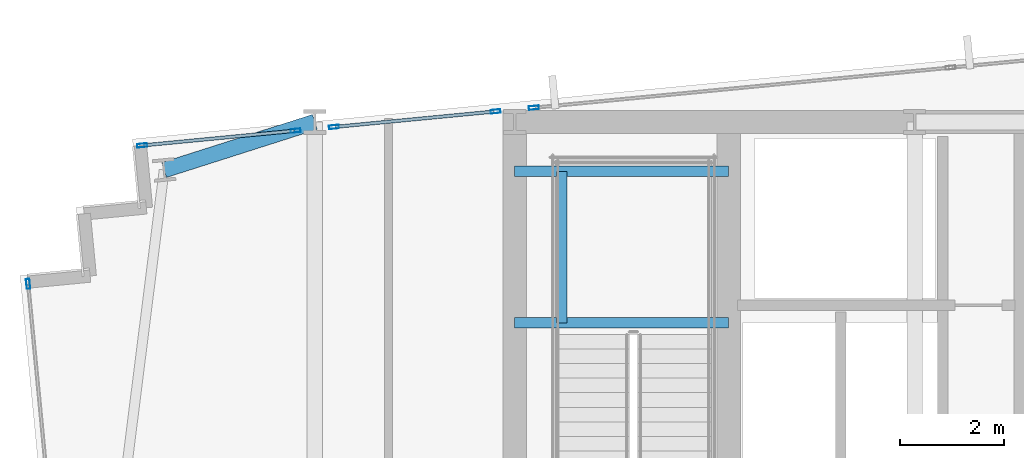
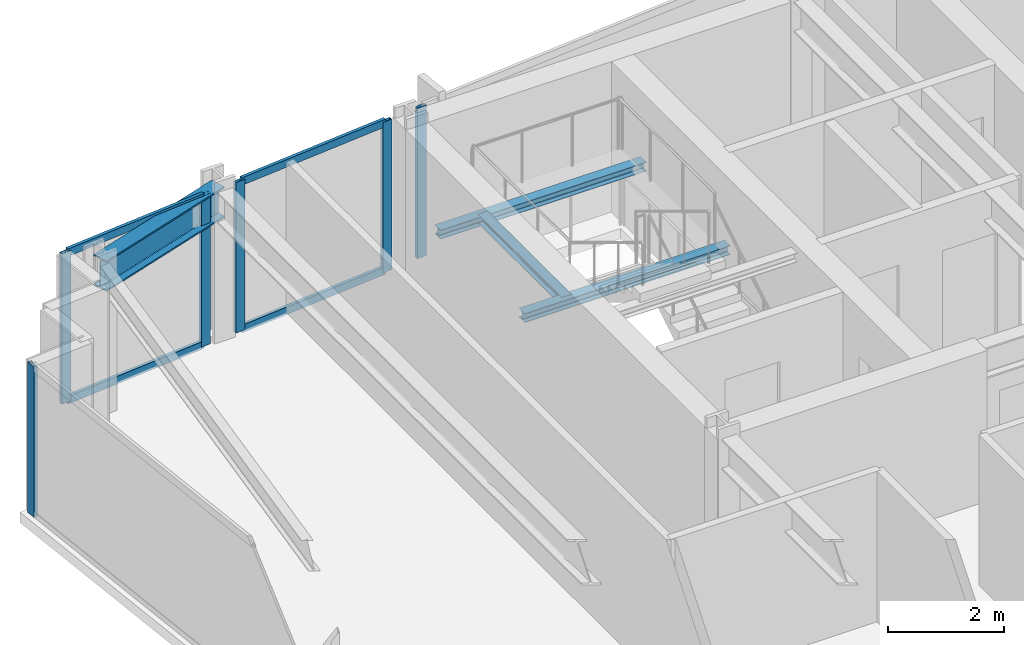
# One storey, part 17 of 33: 10 members, 4 beams, 4 elements without a shape of their own.
"""IFC4 building model written with IfcOpenShell, lengths in metres."""

from ifc_helpers import new_model, si_unit, direction, frame, origin, origin_2d, place, context, subcontext, project, spatial, hollow_rectangle, i_section, extrude, material, material_profile, profile_set, type_object, element, aggregate, save


model = new_model("IFC4")

# Units and contexts
model_context = context("Model", 3, precision=1e-05, world=origin(), true_north=direction((0.0, 1.0)))
body_context = subcontext(model_context, "Body", "Model", "MODEL_VIEW")
ifc_project = project(units=[si_unit("LENGTHUNIT", "METRE"), si_unit("AREAUNIT", "SQUARE_METRE"), si_unit("VOLUMEUNIT", "CUBIC_METRE"), si_unit("PLANEANGLEUNIT", "RADIAN"), si_unit("MASSUNIT", "GRAM", prefix="KILO")], contexts=[model_context])

# Site, building, storey
site_placement = place(None, origin())
site = spatial("IfcSite", under=ifc_project, at=site_placement, CompositionType="ELEMENT")
building_placement = place(site_placement, origin())
building = spatial("IfcBuilding", under=site, at=building_placement, Name="Yelkora Congress Tower", CompositionType="ELEMENT")
storey_placement = place(building_placement, frame((0.0, 0.0, 127.10009765625)))
storey = spatial("IfcBuildingStorey", under=building, at=storey_placement, Name="L34", CompositionType="ELEMENT", Elevation=127.10009765625)

# Beams
ifc_material_1 = material(Name="Steel S355J2", Category="steel")
ifc_material_profile_1 = material_profile(ifc_material_1, i_section(OverallWidth=0.300048828125, OverallDepth=0.64990234375, WebThickness=0.01611328125, FlangeThickness=0.031005859375, FilletRadius=0.027099609375, at=origin_2d()), Name="HEB 650")
ifc_profile_set_1 = profile_set([ifc_material_profile_1], Name="Steel S355J2")
beam_type_1 = type_object("IfcBeamType", Name="BM-GIRD-HEB650", PredefinedType="BEAM", material=ifc_profile_set_1)
beam_1_placement = place(storey_placement, frame((16.306884765625, 45.27734375, 2.85498046875), z_axis=(0.952727067409, 0.303827475759, 0.0), x_axis=(-0.303827475759, 0.952727067409, 0.0)))
element("IfcBeam", 1, at=beam_1_placement, inside=storey, type_object=beam_type_1, Name="L34 Primary Frame Girder N01", PredefinedType="BEAM", context=body_context, shape_type="SweptSolid", body=[
    extrude(i_section(OverallWidth=0.300048828125, OverallDepth=0.64990234375, WebThickness=0.01611328125, FlangeThickness=0.031005859375, FilletRadius=0.027099609375, at=origin_2d()), origin(), (0.0, 0.0, 1.0), 3.03662109375),
])
ifc_material_profile_2 = material_profile(ifc_material_1, i_section(OverallWidth=0.199951171875, OverallDepth=0.18994140625, WebThickness=0.006591796875, FlangeThickness=0.010009765625, FilletRadius=0.01806640625, at=origin_2d()), Name="HEA 200")
ifc_profile_set_2 = profile_set([ifc_material_profile_2], Name="Steel S355J2")
beam_type_2 = type_object("IfcBeamType", Name="BM-LAND-HEA200", PredefinedType="BEAM", material=ifc_profile_set_2)
for number, where, z_axis, x_axis, name in (
    (2, (23.0400390625, 42.340087890625, 1.384521484375), (1.0, 0.0, 0.0), (0.0, 1.0, 0.0), "ST-01 L34 Landing Header Beam 1S"),
    (3, (23.0400390625, 45.25, 1.384521484375), (1.0, 0.0, 0.0), (0.0, 1.0, 0.0), "ST-01 L34 Landing Header Beam 1N"),
):
    element("IfcBeam", number, at=place(storey_placement, frame(where, z_axis=z_axis, x_axis=x_axis)), inside=storey, type_object=beam_type_2, Name=name, PredefinedType="BEAM", context=body_context, shape_type="SweptSolid", body=[
        extrude(i_section(OverallWidth=0.199951171875, OverallDepth=0.18994140625, WebThickness=0.006591796875, FlangeThickness=0.010009765625, FilletRadius=0.01806640625, at=origin_2d()), origin(), (0.0, 0.0, 1.0), 4.10986328125),
    ])
beam_2_placement = place(storey_placement, frame((23.93994140625, 42.340087890625, 1.384521484375), z_axis=(0.0, 1.0, 0.0), x_axis=(-1.0, 0.0, 0.0)))
element("IfcBeam", 4, at=beam_2_placement, inside=storey, type_object=beam_type_2, Name="ST-01 L34 Landing Trimmer Beam 1M", PredefinedType="BEAM", context=body_context, shape_type="SweptSolid", body=[
    extrude(i_section(OverallWidth=0.199951171875, OverallDepth=0.18994140625, WebThickness=0.006591796875, FlangeThickness=0.010009765625, FilletRadius=0.01806640625, at=origin_2d()), origin(), (0.0, 0.0, 1.0), 2.909912109375),
])

# Curtain wall, member
ifc_material_2 = material(Name="Anodised aluminium and insulated glass", Category="aluminium")
curtain_wall_type = type_object("IfcCurtainWallType", Name="CW-SYS-B2", PredefinedType="NOTDEFINED", material=ifc_material_2)
curtain_wall_1_placement = place(storey_placement, origin())
curtain_wall_1 = element("IfcCurtainWall", 5, at=curtain_wall_1_placement, inside=storey, type_object=curtain_wall_type, Name="L34 Unitised Curtain Wall 5", PredefinedType="NOTDEFINED")
ifc_material_3 = material(Name="Anodised aluminium 6063-T6", Category="aluminium")
ifc_material_profile_3 = material_profile(ifc_material_3, hollow_rectangle(XDim=0.070068359375, YDim=0.18994140625, WallThickness=0.00390625, at=origin_2d()), Name="ALU 70x190x4")
ifc_profile_set_3 = profile_set([ifc_material_profile_3], Name="Anodised aluminium 6063-T6")
member_type_1 = type_object("IfcMemberType", Name="MEM-ML-B2", PredefinedType="MULLION", material=ifc_profile_set_3)
member_1_placement = place(storey_placement, frame((13.6943359375, 43.091796875, 0.0), z_axis=(0.0, 0.0, 1.0), x_axis=(-0.995396507508, -0.095842541913, 0.0)))
member_1 = element("IfcMember", 6, at=member_1_placement, type_object=member_type_1, Name="CW-B2 mullion 5", PredefinedType="MULLION", context=body_context, shape_type="SweptSolid", body=[
    extrude(hollow_rectangle(XDim=0.070068359375, YDim=0.18994140625, WallThickness=0.00390625, at=origin_2d()), origin(), (0.0, 0.0, 1.0), 3.179931640625),
])
aggregate(curtain_wall_1, [member_1])

# Curtain wall, members
curtain_wall_2_placement = place(storey_placement, origin())
curtain_wall_2 = element("IfcCurtainWall", 7, at=curtain_wall_2_placement, inside=storey, type_object=curtain_wall_type, Name="L34 Unitised Curtain Wall 10 (1)", PredefinedType="NOTDEFINED")
member_2_placement = place(storey_placement, frame((15.884521484375, 45.7490234375, 0.0), z_axis=(0.0, 0.0, 1.0), x_axis=(-0.095839346142, 0.99539681521, 0.0)))
member_2 = element("IfcMember", 8, at=member_2_placement, type_object=member_type_1, Name="CW-B2 mullion 1", PredefinedType="MULLION", context=body_context, shape_type="SweptSolid", body=[
    extrude(hollow_rectangle(XDim=0.070068359375, YDim=0.18994140625, WallThickness=0.00390625, at=origin_2d()), origin(), (0.0, 0.0, 1.0), 3.179931640625),
])
member_3_placement = place(storey_placement, frame((18.833251953125, 46.032958984375, 0.0), z_axis=(0.0, 0.0, 1.0), x_axis=(-0.095839346142, 0.99539681521, 0.0)))
member_3 = element("IfcMember", 9, at=member_3_placement, type_object=member_type_1, Name="CW-B2 mullion 2", PredefinedType="MULLION", context=body_context, shape_type="SweptSolid", body=[
    extrude(hollow_rectangle(XDim=0.070068359375, YDim=0.18994140625, WallThickness=0.00390625, at=origin_2d()), origin(), (0.0, 0.0, 1.0), 3.179931640625),
])

curtain_wall_3_placement = place(storey_placement, origin())
curtain_wall_3 = element("IfcCurtainWall", 10, at=curtain_wall_3_placement, inside=storey, type_object=curtain_wall_type, Name="L34 Unitised Curtain Wall 10 (2)", PredefinedType="NOTDEFINED")
member_4_placement = place(storey_placement, frame((19.56689453125, 46.103515625, 0.0), z_axis=(0.0, 0.0, 1.0), x_axis=(-0.095841399764, 0.99539661748, 0.0)))
member_4 = element("IfcMember", 11, at=member_4_placement, type_object=member_type_1, Name="CW-B2 mullion 1", PredefinedType="MULLION", context=body_context, shape_type="SweptSolid", body=[
    extrude(hollow_rectangle(XDim=0.070068359375, YDim=0.18994140625, WallThickness=0.00390625, at=origin_2d()), origin(), (0.0, 0.0, 1.0), 3.179931640625),
])
member_5_placement = place(storey_placement, frame((22.673095703125, 46.402587890625, 0.0), z_axis=(0.0, 0.0, 1.0), x_axis=(-0.095841399764, 0.99539661748, 0.0)))
member_5 = element("IfcMember", 12, at=member_5_placement, type_object=member_type_1, Name="CW-B2 mullion 2", PredefinedType="MULLION", context=body_context, shape_type="SweptSolid", body=[
    extrude(hollow_rectangle(XDim=0.070068359375, YDim=0.18994140625, WallThickness=0.00390625, at=origin_2d()), origin(), (0.0, 0.0, 1.0), 3.179931640625),
])

# Curtain wall, member
curtain_wall_4_placement = place(storey_placement, origin())
curtain_wall_4 = element("IfcCurtainWall", 13, at=curtain_wall_4_placement, inside=storey, type_object=curtain_wall_type, Name="L34 Unitised Curtain Wall 10 (3)", PredefinedType="NOTDEFINED")
member_6_placement = place(storey_placement, frame((23.40673828125, 46.473388671875, 0.0), z_axis=(0.0, 0.0, 1.0), x_axis=(-0.095844238468, 0.995396344153, 0.0)))
member_6 = element("IfcMember", 14, at=member_6_placement, type_object=member_type_1, Name="CW-B2 mullion 1", PredefinedType="MULLION", context=body_context, shape_type="SweptSolid", body=[
    extrude(hollow_rectangle(XDim=0.070068359375, YDim=0.18994140625, WallThickness=0.00390625, at=origin_2d()), origin(), (0.0, 0.0, 1.0), 3.179931640625),
])
aggregate(curtain_wall_4, [member_6])

# Member
ifc_material_profile_4 = material_profile(ifc_material_3, hollow_rectangle(XDim=0.06494140625, YDim=0.159912109375, WallThickness=0.00390625, at=origin_2d()), Name="ALU 65x160x4")
ifc_profile_set_4 = profile_set([ifc_material_profile_4], Name="Anodised aluminium 6063-T6")
member_type_2 = type_object("IfcMemberType", Name="MEM-TR-B2", PredefinedType="USERDEFINED", material=ifc_profile_set_4)
member_7_placement = place(storey_placement, frame((15.91943359375, 45.75244140625, 0.032470703125), z_axis=(0.995399744854, 0.095808913705, 0.0), x_axis=(-0.095808913705, 0.995399744854, 0.0)))
member_7 = element("IfcMember", 15, at=member_7_placement, type_object=member_type_2, Name="CW-B2 transom 1.1", ObjectType="TRANSOM", PredefinedType="USERDEFINED", context=body_context, shape_type="SweptSolid", body=[
    extrude(hollow_rectangle(XDim=0.06494140625, YDim=0.159912109375, WallThickness=0.00390625, at=origin_2d()), origin(), (0.0, 0.0, 1.0), 2.89208984375),
])

member_8_placement = place(storey_placement, frame((15.91943359375, 45.75244140625, 3.1474609375), z_axis=(0.995399744854, 0.095808913705, 0.0), x_axis=(-0.095808913705, 0.995399744854, 0.0)))
member_8 = element("IfcMember", 16, at=member_8_placement, type_object=member_type_2, Name="CW-B2 transom 1.2", ObjectType="TRANSOM", PredefinedType="USERDEFINED", context=body_context, shape_type="SweptSolid", body=[
    extrude(hollow_rectangle(XDim=0.06494140625, YDim=0.159912109375, WallThickness=0.00390625, at=origin_2d()), origin(), (0.0, 0.0, 1.0), 2.89208984375),
])

aggregate(curtain_wall_2, [member_2, member_3, member_7, member_8])

member_9_placement = place(storey_placement, frame((19.6015625, 46.10693359375, 0.032470703125), z_axis=(0.995401842144, 0.095787121557, 0.0), x_axis=(-0.095787121557, 0.995401842144, 0.0)))
member_9 = element("IfcMember", 17, at=member_9_placement, type_object=member_type_2, Name="CW-B2 transom 1.1", ObjectType="TRANSOM", PredefinedType="USERDEFINED", context=body_context, shape_type="SweptSolid", body=[
    extrude(hollow_rectangle(XDim=0.06494140625, YDim=0.159912109375, WallThickness=0.00390625, at=origin_2d()), origin(), (0.0, 0.0, 1.0), 3.05078125),
])

member_10_placement = place(storey_placement, frame((19.6015625, 46.10693359375, 3.1474609375), z_axis=(0.995401842144, 0.095787121557, 0.0), x_axis=(-0.095787121557, 0.995401842144, 0.0)))
member_10 = element("IfcMember", 18, at=member_10_placement, type_object=member_type_2, Name="CW-B2 transom 1.2", ObjectType="TRANSOM", PredefinedType="USERDEFINED", context=body_context, shape_type="SweptSolid", body=[
    extrude(hollow_rectangle(XDim=0.06494140625, YDim=0.159912109375, WallThickness=0.00390625, at=origin_2d()), origin(), (0.0, 0.0, 1.0), 3.05078125),
])

aggregate(curtain_wall_3, [member_4, member_5, member_9, member_10])

save(model, "model.ifc")
